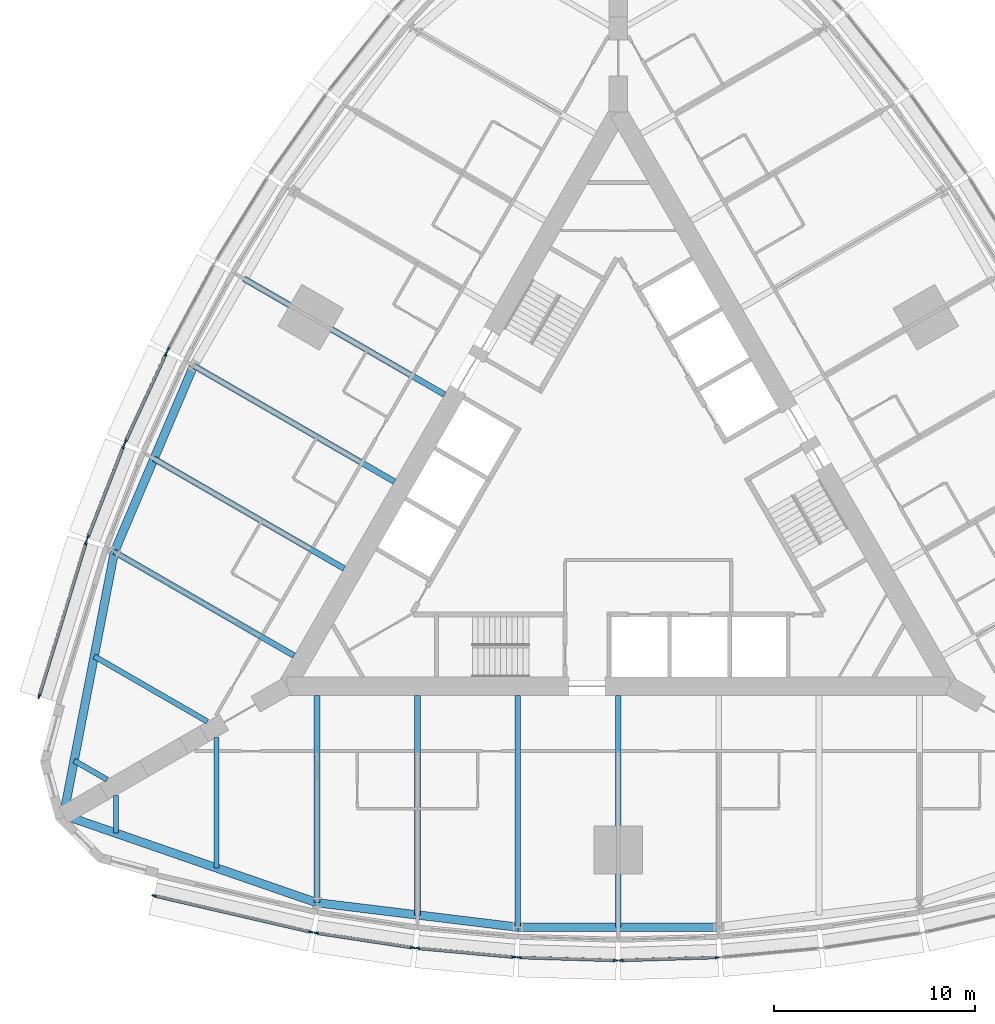
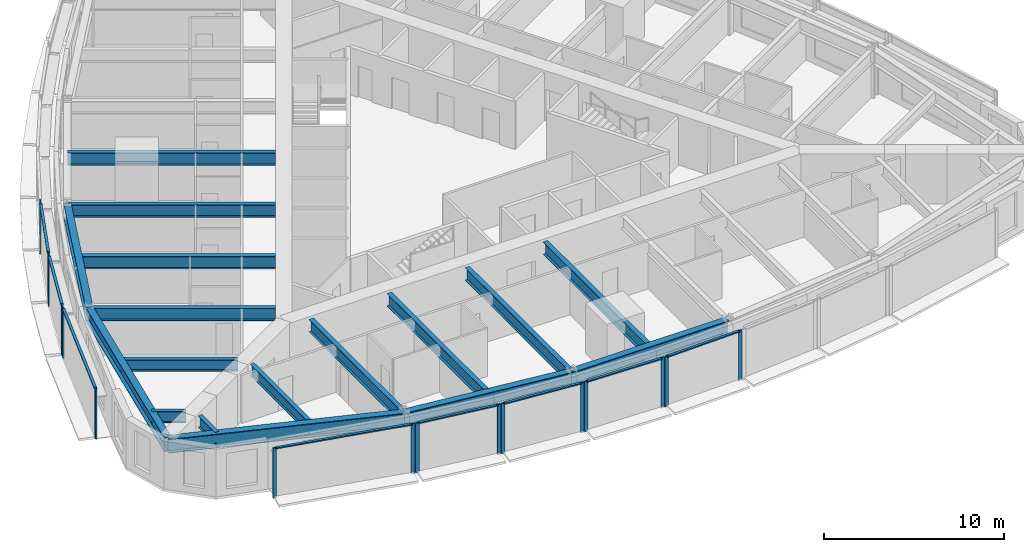
# One storey, part 2 of 14: 25 members, 17 beams, 9 elements without a shape of their own.
"""IFC4 building model written with IfcOpenShell, lengths in metres."""

from ifc_helpers import new_model, si_unit, direction, frame, origin, origin_2d, place, context, subcontext, project, spatial, rectangle, i_section, extrude, material, material_profile, profile_set, type_object, element, aggregate, save


model = new_model("IFC4")

# Units and contexts
model_context = context("Model", 3, precision=1e-05, world=origin(), true_north=direction((0.0, 1.0)))
body_context = subcontext(model_context, "Body", "Model", "MODEL_VIEW")
ifc_project = project(units=[si_unit("LENGTHUNIT", "METRE"), si_unit("AREAUNIT", "SQUARE_METRE"), si_unit("VOLUMEUNIT", "CUBIC_METRE"), si_unit("PLANEANGLEUNIT", "RADIAN"), si_unit("MASSUNIT", "GRAM", prefix="KILO")], contexts=[model_context])

# Site, building, storey
site_placement = place(None, origin())
site = spatial("IfcSite", under=ifc_project, at=site_placement, CompositionType="ELEMENT")
building_placement = place(site_placement, origin())
building = spatial("IfcBuilding", under=site, at=building_placement, Name="Trikona Tower", CompositionType="ELEMENT")
storey_placement = place(building_placement, frame((0.0, 0.0, 52.300048828125)))
storey = spatial("IfcBuildingStorey", under=building, at=storey_placement, Name="L12", CompositionType="ELEMENT", Elevation=52.300048828125)

# Curtain wall, members
ifc_material_1 = material(Name="Aluminium curtain wall system", Category="aluminium")
curtain_wall_type = type_object("IfcCurtainWallType", Name="Curtain wall DS1", PredefinedType="NOTDEFINED", material=ifc_material_1)
curtain_wall_1_placement = place(storey_placement, origin())
curtain_wall_1 = element("IfcCurtainWall", 1, at=curtain_wall_1_placement, inside=storey, type_object=curtain_wall_type, Name="Curtain wall DS1 L12", PredefinedType="NOTDEFINED")
ifc_material_2 = material(Name="Aluminium mullion, pale anodised", Category="aluminium")
ifc_material_profile_1 = material_profile(ifc_material_2, rectangle(XDim=0.080078125, YDim=0.219970703125, at=origin_2d()), Name="MUL-DS1")
ifc_profile_set_1 = profile_set([ifc_material_profile_1], Name="Aluminium mullion, pale anodised")
member_type_1 = type_object("IfcMemberType", Name="Mullion DS1 80x220", PredefinedType="MULLION", material=ifc_profile_set_1)
member_1_placement = place(storey_placement, frame((-23.10546875, -19.951904296875, 0.0), z_axis=(0.0, 0.0, 1.0), x_axis=(0.225343288756, 0.974279427173, 0.0)))
member_1 = element("IfcMember", 2, at=member_1_placement, type_object=member_type_1, Name="CW-DS1 mullion 1", PredefinedType="MULLION", context=body_context, shape_type="SweptSolid", body=[
    extrude(rectangle(XDim=0.080078125, YDim=0.219970703125, at=origin_2d()), origin(), (0.0, 0.0, 1.0), 3.39990234375),
])
member_2_placement = place(storey_placement, frame((-15.30029296875, -21.75732421875, 0.0), z_axis=(0.0, 0.0, 1.0), x_axis=(0.225343288756, 0.974279427173, 0.0)))
member_2 = element("IfcMember", 3, at=member_2_placement, type_object=member_type_1, Name="CW-DS1 mullion 2", PredefinedType="MULLION", context=body_context, shape_type="SweptSolid", body=[
    extrude(rectangle(XDim=0.080078125, YDim=0.219970703125, at=origin_2d()), origin(), (0.0, 0.0, 1.0), 3.39990234375),
])

curtain_wall_2_placement = place(storey_placement, origin())
curtain_wall_2 = element("IfcCurtainWall", 4, at=curtain_wall_2_placement, inside=storey, type_object=curtain_wall_type, Name="Curtain wall DS1 L12", PredefinedType="NOTDEFINED")
member_3_placement = place(storey_placement, frame((-15.03662109375, -21.807861328125, 0.0), z_axis=(0.0, 0.0, 1.0), x_axis=(0.150437693845, 0.988619492156, 0.0)))
member_3 = element("IfcMember", 5, at=member_3_placement, type_object=member_type_1, Name="CW-DS1 mullion 1", PredefinedType="MULLION", context=body_context, shape_type="SweptSolid", body=[
    extrude(rectangle(XDim=0.080078125, YDim=0.219970703125, at=origin_2d()), origin(), (0.0, 0.0, 1.0), 3.39990234375),
])
member_4_placement = place(storey_placement, frame((-10.234130859375, -22.53857421875, 0.0), z_axis=(0.0, 0.0, 1.0), x_axis=(0.150437693845, 0.988619492156, 0.0)))
member_4 = element("IfcMember", 6, at=member_4_placement, type_object=member_type_1, Name="CW-DS1 mullion 2", PredefinedType="MULLION", context=body_context, shape_type="SweptSolid", body=[
    extrude(rectangle(XDim=0.080078125, YDim=0.219970703125, at=origin_2d()), origin(), (0.0, 0.0, 1.0), 3.39990234375),
])

curtain_wall_3_placement = place(storey_placement, origin())
curtain_wall_3 = element("IfcCurtainWall", 7, at=curtain_wall_3_placement, inside=storey, type_object=curtain_wall_type, Name="Curtain wall DS1 L12", PredefinedType="NOTDEFINED")
member_5_placement = place(storey_placement, frame((-9.982177734375, -22.5693359375, 0.0), z_axis=(0.0, 0.0, 1.0), x_axis=(0.090923932737, 0.995857840485, 0.0)))
member_5 = element("IfcMember", 8, at=member_5_placement, type_object=member_type_1, Name="CW-DS1 mullion 1", PredefinedType="MULLION", context=body_context, shape_type="SweptSolid", body=[
    extrude(rectangle(XDim=0.080078125, YDim=0.219970703125, at=origin_2d()), origin(), (0.0, 0.0, 1.0), 3.39990234375),
])
member_6_placement = place(storey_placement, frame((-5.181396484375, -23.007568359375, 0.0), z_axis=(0.0, 0.0, 1.0), x_axis=(0.090923932737, 0.995857840485, 0.0)))
member_6 = element("IfcMember", 9, at=member_6_placement, type_object=member_type_1, Name="CW-DS1 mullion 2", PredefinedType="MULLION", context=body_context, shape_type="SweptSolid", body=[
    extrude(rectangle(XDim=0.080078125, YDim=0.219970703125, at=origin_2d()), origin(), (0.0, 0.0, 1.0), 3.39990234375),
])

curtain_wall_4_placement = place(storey_placement, origin())
curtain_wall_4 = element("IfcCurtainWall", 10, at=curtain_wall_4_placement, inside=storey, type_object=curtain_wall_type, Name="Curtain wall DS1 L12", PredefinedType="NOTDEFINED")
member_7_placement = place(storey_placement, frame((-4.927490234375, -23.02294921875, 0.0), z_axis=(0.0, 0.0, 1.0), x_axis=(0.030436711692, 0.999536695965, 0.0)))
member_7 = element("IfcMember", 11, at=member_7_placement, type_object=member_type_1, Name="CW-DS1 mullion 1", PredefinedType="MULLION", context=body_context, shape_type="SweptSolid", body=[
    extrude(rectangle(XDim=0.080078125, YDim=0.219970703125, at=origin_2d()), origin(), (0.0, 0.0, 1.0), 3.39990234375),
])
member_8_placement = place(storey_placement, frame((-0.12744140625, -23.169189453125, 0.0), z_axis=(0.0, 0.0, 1.0), x_axis=(0.030436711692, 0.999536695965, 0.0)))
member_8 = element("IfcMember", 12, at=member_8_placement, type_object=member_type_1, Name="CW-DS1 mullion 2", PredefinedType="MULLION", context=body_context, shape_type="SweptSolid", body=[
    extrude(rectangle(XDim=0.080078125, YDim=0.219970703125, at=origin_2d()), origin(), (0.0, 0.0, 1.0), 3.39990234375),
])

curtain_wall_5_placement = place(storey_placement, origin())
curtain_wall_5 = element("IfcCurtainWall", 13, at=curtain_wall_5_placement, inside=storey, type_object=curtain_wall_type, Name="Curtain wall DS1 L12", PredefinedType="NOTDEFINED")
member_9_placement = place(storey_placement, frame((0.12744140625, -23.169189453125, 0.0), z_axis=(0.0, 0.0, 1.0), x_axis=(-0.030436711692, 0.999536695965, 0.0)))
member_9 = element("IfcMember", 14, at=member_9_placement, type_object=member_type_1, Name="CW-DS1 mullion 1", PredefinedType="MULLION", context=body_context, shape_type="SweptSolid", body=[
    extrude(rectangle(XDim=0.080078125, YDim=0.219970703125, at=origin_2d()), origin(), (0.0, 0.0, 1.0), 3.39990234375),
])
member_10_placement = place(storey_placement, frame((4.927490234375, -23.02294921875, 0.0), z_axis=(0.0, 0.0, 1.0), x_axis=(-0.030436711692, 0.999536695965, 0.0)))
member_10 = element("IfcMember", 15, at=member_10_placement, type_object=member_type_1, Name="CW-DS1 mullion 2", PredefinedType="MULLION", context=body_context, shape_type="SweptSolid", body=[
    extrude(rectangle(XDim=0.080078125, YDim=0.219970703125, at=origin_2d()), origin(), (0.0, 0.0, 1.0), 3.39990234375),
])

# Curtain wall, member
curtain_wall_6_placement = place(storey_placement, origin())
curtain_wall_6 = element("IfcCurtainWall", 16, at=curtain_wall_6_placement, inside=storey, type_object=curtain_wall_type, Name="Curtain wall DS1 L12", PredefinedType="NOTDEFINED")
member_11_placement = place(storey_placement, frame((-22.402099609375, 7.244140625, 0.0), z_axis=(0.0, 0.0, 1.0), x_axis=(0.880843080975, -0.473408350896, 0.0)))
member_11 = element("IfcMember", 17, at=member_11_placement, type_object=member_type_1, Name="CW-DS1 mullion 2", PredefinedType="MULLION", context=body_context, shape_type="SweptSolid", body=[
    extrude(rectangle(XDim=0.080078125, YDim=0.219970703125, at=origin_2d()), origin(), (0.0, 0.0, 1.0), 3.39990234375),
])
aggregate(curtain_wall_6, [member_11])

# Curtain wall, members
curtain_wall_7_placement = place(storey_placement, origin())
curtain_wall_7 = element("IfcCurtainWall", 18, at=curtain_wall_7_placement, inside=storey, type_object=curtain_wall_type, Name="Curtain wall DS1 L12", PredefinedType="NOTDEFINED")
member_12_placement = place(storey_placement, frame((-22.515869140625, 7.0166015625, 0.0), z_axis=(0.0, 0.0, 1.0), x_axis=(0.907898459992, -0.419190155352, 0.0)))
member_12 = element("IfcMember", 19, at=member_12_placement, type_object=member_type_1, Name="CW-DS1 mullion 1", PredefinedType="MULLION", context=body_context, shape_type="SweptSolid", body=[
    extrude(rectangle(XDim=0.080078125, YDim=0.219970703125, at=origin_2d()), origin(), (0.0, 0.0, 1.0), 3.39990234375),
])
member_13_placement = place(storey_placement, frame((-24.53662109375, 2.6396484375, 0.0), z_axis=(0.0, 0.0, 1.0), x_axis=(0.907898459992, -0.419190155352, 0.0)))
member_13 = element("IfcMember", 20, at=member_13_placement, type_object=member_type_1, Name="CW-DS1 mullion 2", PredefinedType="MULLION", context=body_context, shape_type="SweptSolid", body=[
    extrude(rectangle(XDim=0.080078125, YDim=0.219970703125, at=origin_2d()), origin(), (0.0, 0.0, 1.0), 3.39990234375),
])

curtain_wall_8_placement = place(storey_placement, origin())
curtain_wall_8 = element("IfcCurtainWall", 21, at=curtain_wall_8_placement, inside=storey, type_object=curtain_wall_type, Name="Curtain wall DS1 L12", PredefinedType="NOTDEFINED")
member_14_placement = place(storey_placement, frame((-24.63623046875, 2.40625, 0.0), z_axis=(0.0, 0.0, 1.0), x_axis=(0.931395989443, -0.36400756977, 0.0)))
member_14 = element("IfcMember", 22, at=member_14_placement, type_object=member_type_1, Name="CW-DS1 mullion 1", PredefinedType="MULLION", context=body_context, shape_type="SweptSolid", body=[
    extrude(rectangle(XDim=0.080078125, YDim=0.219970703125, at=origin_2d()), origin(), (0.0, 0.0, 1.0), 3.39990234375),
])
member_15_placement = place(storey_placement, frame((-26.404296875, -2.1181640625, 0.0), z_axis=(0.0, 0.0, 1.0), x_axis=(0.931395989443, -0.36400756977, 0.0)))
member_15 = element("IfcMember", 23, at=member_15_placement, type_object=member_type_1, Name="CW-DS1 mullion 2", PredefinedType="MULLION", context=body_context, shape_type="SweptSolid", body=[
    extrude(rectangle(XDim=0.080078125, YDim=0.219970703125, at=origin_2d()), origin(), (0.0, 0.0, 1.0), 3.39990234375),
])

curtain_wall_9_placement = place(storey_placement, origin())
curtain_wall_9 = element("IfcCurtainWall", 24, at=curtain_wall_9_placement, inside=storey, type_object=curtain_wall_type, Name="Curtain wall DS1 L12", PredefinedType="NOTDEFINED")
member_16_placement = place(storey_placement, frame((-26.492431640625, -2.371826171875, 0.0), z_axis=(0.0, 0.0, 1.0), x_axis=(0.956423115383, -0.291984287868, 0.0)))
member_16 = element("IfcMember", 25, at=member_16_placement, type_object=member_type_1, Name="CW-DS1 mullion 1", PredefinedType="MULLION", context=body_context, shape_type="SweptSolid", body=[
    extrude(rectangle(XDim=0.080078125, YDim=0.219970703125, at=origin_2d()), origin(), (0.0, 0.0, 1.0), 3.39990234375),
])
member_17_placement = place(storey_placement, frame((-28.83154296875, -10.033935546875, 0.0), z_axis=(0.0, 0.0, 1.0), x_axis=(0.956423115383, -0.291984287868, 0.0)))
member_17 = element("IfcMember", 26, at=member_17_placement, type_object=member_type_1, Name="CW-DS1 mullion 2", PredefinedType="MULLION", context=body_context, shape_type="SweptSolid", body=[
    extrude(rectangle(XDim=0.080078125, YDim=0.219970703125, at=origin_2d()), origin(), (0.0, 0.0, 1.0), 3.39990234375),
])

# Beams
ifc_material_3 = material(Name="Steel ASTM A992 Grade 50", Category="steel")
ifc_material_profile_2 = material_profile(ifc_material_3, i_section(OverallWidth=0.2666015625, OverallDepth=0.76953125, WebThickness=0.015625, FlangeThickness=0.025390625, at=origin_2d()), Name="W30X132")
ifc_profile_set_2 = profile_set([ifc_material_profile_2], Name="Steel ASTM A992 Grade 50")
beam_type_1 = type_object("IfcBeamType", Name="Steel beam W30x132 (wedge)", PredefinedType="BEAM", material=ifc_profile_set_2)
beam_1_placement = place(storey_placement, frame((-25.0, -14.953369140625, 2.85009765625), z_axis=(0.0, -1.0, 0.0), x_axis=(1.0, 0.0, 0.0)))
element("IfcBeam", 27, at=beam_1_placement, inside=storey, type_object=beam_type_1, Name="Floor beam L13 F1 u-25", PredefinedType="BEAM", context=body_context, shape_type="SweptSolid", body=[
    extrude(i_section(OverallWidth=0.2666015625, OverallDepth=0.76953125, WebThickness=0.015625, FlangeThickness=0.025390625, at=origin_2d()), origin(), (0.0, 0.0, 1.0), 1.890380859375),
])
for number, where, z_axis, x_axis, name in (
    (28, (-20.0, -12.066650390625, 2.85009765625), (0.0, -1.0, 0.0), (1.0, 0.0, 0.0), "Floor beam L13 F1 u-20"),
    (29, (-20.449951171875, -11.287109375, 2.85009765625), (-0.866022504693, 0.50000502134, 0.0), (-0.50000502134, -0.866022504693, 0.0), "Floor beam L13 F3 u20"),
):
    element("IfcBeam", number, at=place(storey_placement, frame(where, z_axis=z_axis, x_axis=x_axis)), inside=storey, type_object=beam_type_1, Name=name, PredefinedType="BEAM", context=body_context, shape_type="SweptSolid", body=[
        extrude(i_section(OverallWidth=0.2666015625, OverallDepth=0.76953125, WebThickness=0.015625, FlangeThickness=0.025390625, at=origin_2d()), origin(), (0.0, 0.0, 1.0), 6.5068359375),
    ])
beam_2_placement = place(storey_placement, frame((-25.449951171875, -14.173828125, 2.85009765625), z_axis=(-0.866065156741, 0.499931139538, 0.0), x_axis=(-0.499931139538, -0.866065156741, 0.0)))
element("IfcBeam", 30, at=beam_2_placement, inside=storey, type_object=beam_type_1, Name="Floor beam L13 F3 u25", PredefinedType="BEAM", context=body_context, shape_type="SweptSolid", body=[
    extrude(i_section(OverallWidth=0.2666015625, OverallDepth=0.76953125, WebThickness=0.015625, FlangeThickness=0.025390625, at=origin_2d()), origin(), (0.0, 0.0, 1.0), 1.890380859375),
])
ifc_material_4 = material(Name="Steel ASTM A992 Grade 50", Category="steel")
ifc_material_profile_3 = material_profile(ifc_material_4, i_section(OverallWidth=0.2919921875, OverallDepth=0.845703125, WebThickness=0.015380859375, FlangeThickness=0.0244140625, at=origin_2d()), Name="W33X141")
ifc_profile_set_3 = profile_set([ifc_material_profile_3], Name="Steel ASTM A992 Grade 50")
beam_type_2 = type_object("IfcBeamType", Name="Steel beam W33x141 (radial typ)", PredefinedType="BEAM", material=ifc_profile_set_3)
beam_3_placement = place(storey_placement, frame((-15.0, -9.976318359375, 2.81201171875), z_axis=(0.0, -1.0, 0.0), x_axis=(1.0, 0.0, 0.0)))
element("IfcBeam", 31, at=beam_3_placement, inside=storey, type_object=beam_type_2, Name="Floor beam L13 F1 u-15", PredefinedType="BEAM", context=body_context, shape_type="SweptSolid", body=[
    extrude(i_section(OverallWidth=0.2919921875, OverallDepth=0.845703125, WebThickness=0.015380859375, FlangeThickness=0.0244140625, at=origin_2d()), origin(), (0.0, 0.0, 1.0), 10.32666015625),
])
beam_4_placement = place(storey_placement, frame((-10.0, -9.976318359375, 2.81201171875), z_axis=(0.0, -1.0, 0.0), x_axis=(1.0, 0.0, 0.0)))
element("IfcBeam", 32, at=beam_4_placement, inside=storey, type_object=beam_type_2, Name="Floor beam L13 F1 u-10", PredefinedType="BEAM", context=body_context, shape_type="SweptSolid", body=[
    extrude(i_section(OverallWidth=0.2919921875, OverallDepth=0.845703125, WebThickness=0.015380859375, FlangeThickness=0.0244140625, at=origin_2d()), origin(), (0.0, 0.0, 1.0), 10.935302734375),
])
for number, where, z_axis, x_axis, name in (
    (33, (-5.0, -9.976318359375, 2.81201171875), (0.0, -1.0, 0.0), (1.0, 0.0, 0.0), "Floor beam L13 F1 u-5"),
    (34, (0.0, -9.976318359375, 2.81201171875), (0.0, -1.0, 0.0), (1.0, 0.0, 0.0), "Floor beam L13 F1 u0"),
    (35, (-8.6396484375, 4.988037109375, 2.81201171875), (-0.866020765707, 0.500008033299, 0.0), (-0.500008033299, -0.866020765707, 0.0), "Floor beam L13 F3 u0"),
    (36, (-11.1396484375, 0.657958984375, 2.81201171875), (-0.866020765707, 0.500008033299, 0.0), (-0.500008033299, -0.866020765707, 0.0), "Floor beam L13 F3 u5"),
):
    element("IfcBeam", number, at=place(storey_placement, frame(where, z_axis=z_axis, x_axis=x_axis)), inside=storey, type_object=beam_type_2, Name=name, PredefinedType="BEAM", context=body_context, shape_type="SweptSolid", body=[
        extrude(i_section(OverallWidth=0.2919921875, OverallDepth=0.845703125, WebThickness=0.015380859375, FlangeThickness=0.0244140625, at=origin_2d()), origin(), (0.0, 0.0, 1.0), 11.544189453125),
    ])
beam_5_placement = place(storey_placement, frame((-13.6396484375, -3.672119140625, 2.81201171875), z_axis=(-0.866025348605, 0.500000095573, 0.0), x_axis=(-0.500000095573, -0.866025348605, 0.0)))
element("IfcBeam", 37, at=beam_5_placement, inside=storey, type_object=beam_type_2, Name="Floor beam L13 F3 u10", PredefinedType="BEAM", context=body_context, shape_type="SweptSolid", body=[
    extrude(i_section(OverallWidth=0.2919921875, OverallDepth=0.845703125, WebThickness=0.015380859375, FlangeThickness=0.0244140625, at=origin_2d()), origin(), (0.0, 0.0, 1.0), 10.935546875),
])
beam_6_placement = place(storey_placement, frame((-16.1396484375, -8.002197265625, 2.81201171875), z_axis=(-0.866030471684, 0.499991222037, 0.0), x_axis=(-0.499991222037, -0.866030471684, 0.0)))
element("IfcBeam", 38, at=beam_6_placement, inside=storey, type_object=beam_type_2, Name="Floor beam L13 F3 u15", PredefinedType="BEAM", context=body_context, shape_type="SweptSolid", body=[
    extrude(i_section(OverallWidth=0.2919921875, OverallDepth=0.845703125, WebThickness=0.015380859375, FlangeThickness=0.0244140625, at=origin_2d()), origin(), (0.0, 0.0, 1.0), 10.326904296875),
])
ifc_material_5 = material(Name="Steel ASTM A992 Grade 50", Category="steel")
ifc_material_profile_4 = material_profile(ifc_material_5, i_section(OverallWidth=0.424072265625, OverallDepth=0.947509765625, WebThickness=0.02392578125, FlangeThickness=0.042724609375, at=origin_2d()), Name="W36X302")
ifc_profile_set_4 = profile_set([ifc_material_profile_4], Name="Steel ASTM A992 Grade 50")
beam_type_3 = type_object("IfcBeamType", Name="Steel beam W36x302 (spandrel)", PredefinedType="SPANDREL", material=ifc_profile_set_4)
beam_7_placement = place(storey_placement, frame((-27.6103515625, -15.94091796875, 2.76123046875), z_axis=(0.945056965739, -0.326905692071, 0.0), x_axis=(0.326905692071, 0.945056965739, 0.0)))
element("IfcBeam", 39, at=beam_7_placement, inside=storey, type_object=beam_type_3, Name="Spandrel beam L13 F1-1", PredefinedType="SPANDREL", context=body_context, shape_type="SweptSolid", body=[
    extrude(i_section(OverallWidth=0.424072265625, OverallDepth=0.947509765625, WebThickness=0.02392578125, FlangeThickness=0.042724609375, at=origin_2d()), origin(), (0.0, 0.0, 1.0), 13.343505859375),
])
beam_8_placement = place(storey_placement, frame((-15.0, -20.302978515625, 2.76123046875), z_axis=(0.99266951126, -0.120860421207, 0.0), x_axis=(0.120860421207, 0.99266951126, 0.0)))
element("IfcBeam", 40, at=beam_8_placement, inside=storey, type_object=beam_type_3, Name="Spandrel beam L13 F1-2", PredefinedType="SPANDREL", context=body_context, shape_type="SweptSolid", body=[
    extrude(i_section(OverallWidth=0.424072265625, OverallDepth=0.947509765625, WebThickness=0.02392578125, FlangeThickness=0.042724609375, at=origin_2d()), origin(), (0.0, 0.0, 1.0), 10.07373046875),
])
beam_9_placement = place(storey_placement, frame((-5.0, -21.5205078125, 2.76123046875), z_axis=(1.0, 0.0, 0.0), x_axis=(0.0, 1.0, 0.0)))
element("IfcBeam", 41, at=beam_9_placement, inside=storey, type_object=beam_type_3, Name="Spandrel beam L13 F1-3", PredefinedType="SPANDREL", context=body_context, shape_type="SweptSolid", body=[
    extrude(i_section(OverallWidth=0.424072265625, OverallDepth=0.947509765625, WebThickness=0.02392578125, FlangeThickness=0.042724609375, at=origin_2d()), origin(), (0.0, 0.0, 1.0), 10.0),
])
beam_10_placement = place(storey_placement, frame((-21.13720703125, 6.43017578125, 2.76123046875), z_axis=(-0.391683514847, -0.920100007715, 0.0), x_axis=(0.920100007715, -0.391683514847, 0.0)))
element("IfcBeam", 42, at=beam_10_placement, inside=storey, type_object=beam_type_3, Name="Spandrel beam L13 F3-4", PredefinedType="SPANDREL", context=body_context, shape_type="SweptSolid", body=[
    extrude(i_section(OverallWidth=0.424072265625, OverallDepth=0.947509765625, WebThickness=0.02392578125, FlangeThickness=0.042724609375, at=origin_2d()), origin(), (0.0, 0.0, 1.0), 10.073974609375),
])
beam_11_placement = place(storey_placement, frame((-25.0830078125, -2.8388671875, 2.76123046875), z_axis=(-0.189405184036, -0.981899015307, 0.0), x_axis=(0.981899015307, -0.189405184036, 0.0)))
element("IfcBeam", 43, at=beam_11_placement, inside=storey, type_object=beam_type_3, Name="Spandrel beam L13 F3-5", PredefinedType="SPANDREL", context=body_context, shape_type="SweptSolid", body=[
    extrude(i_section(OverallWidth=0.424072265625, OverallDepth=0.947509765625, WebThickness=0.02392578125, FlangeThickness=0.042724609375, at=origin_2d()), origin(), (0.0, 0.0, 1.0), 13.343505859375),
])

# Member
ifc_material_6 = material(Name="Aluminium transom, pale anodised", Category="aluminium")
ifc_material_profile_5 = material_profile(ifc_material_6, rectangle(XDim=0.159912109375, YDim=0.080078125, at=origin_2d()), Name="TRN-DS1")
ifc_profile_set_5 = profile_set([ifc_material_profile_5], Name="Aluminium transom, pale anodised")
member_type_2 = type_object("IfcMemberType", Name="Transom DS1 80x160", PredefinedType="USERDEFINED", material=ifc_profile_set_5)
member_18_placement = place(storey_placement, frame((-23.06640625, -19.9609375, 3.35986328125), z_axis=(0.974275371842, -0.225360821398, 0.0), x_axis=(0.225360821398, 0.974275371842, 0.0)))
member_18 = element("IfcMember", 44, at=member_18_placement, type_object=member_type_2, Name="CW-DS1 transom 1.1", ObjectType="TRANSOM", PredefinedType="USERDEFINED", context=body_context, shape_type="SweptSolid", body=[
    extrude(rectangle(XDim=0.159912109375, YDim=0.080078125, at=origin_2d()), origin(), (0.0, 0.0, 1.0), 7.93115234375),
])

aggregate(curtain_wall_1, [member_1, member_2, member_18])

member_19_placement = place(storey_placement, frame((-14.9970703125, -21.813720703125, 3.35986328125), z_axis=(0.988619663412, -0.150436568413, 0.0), x_axis=(0.150436568413, 0.988619663412, 0.0)))
member_19 = element("IfcMember", 45, at=member_19_placement, type_object=member_type_2, Name="CW-DS1 transom 1.1", ObjectType="TRANSOM", PredefinedType="USERDEFINED", context=body_context, shape_type="SweptSolid", body=[
    extrude(rectangle(XDim=0.159912109375, YDim=0.080078125, at=origin_2d()), origin(), (0.0, 0.0, 1.0), 4.77783203125),
])

aggregate(curtain_wall_2, [member_3, member_4, member_19])

member_20_placement = place(storey_placement, frame((-9.9423828125, -22.57275390625, 3.35986328125), z_axis=(0.995855977008, -0.090944340438, 0.0), x_axis=(0.090944340438, 0.995855977008, 0.0)))
member_20 = element("IfcMember", 46, at=member_20_placement, type_object=member_type_2, Name="CW-DS1 transom 1.1", ObjectType="TRANSOM", PredefinedType="USERDEFINED", context=body_context, shape_type="SweptSolid", body=[
    extrude(rectangle(XDim=0.159912109375, YDim=0.080078125, at=origin_2d()), origin(), (0.0, 0.0, 1.0), 4.74072265625),
])

aggregate(curtain_wall_3, [member_5, member_6, member_20])

member_21_placement = place(storey_placement, frame((-4.887451171875, -23.024169921875, 3.35986328125), z_axis=(0.999536232946, -0.030451913371, 0.0), x_axis=(0.030451913371, 0.999536232946, 0.0)))
member_21 = element("IfcMember", 47, at=member_21_placement, type_object=member_type_2, Name="CW-DS1 transom 1.1", ObjectType="TRANSOM", PredefinedType="USERDEFINED", context=body_context, shape_type="SweptSolid", body=[
    extrude(rectangle(XDim=0.159912109375, YDim=0.080078125, at=origin_2d()), origin(), (0.0, 0.0, 1.0), 4.72216796875),
])

aggregate(curtain_wall_4, [member_7, member_8, member_21])

member_22_placement = place(storey_placement, frame((0.16748046875, -23.16796875, 3.35986328125), z_axis=(0.999536232946, 0.030451913371, 0.0), x_axis=(-0.030451913371, 0.999536232946, 0.0)))
member_22 = element("IfcMember", 48, at=member_22_placement, type_object=member_type_2, Name="CW-DS1 transom 1.1", ObjectType="TRANSOM", PredefinedType="USERDEFINED", context=body_context, shape_type="SweptSolid", body=[
    extrude(rectangle(XDim=0.159912109375, YDim=0.080078125, at=origin_2d()), origin(), (0.0, 0.0, 1.0), 4.72216796875),
])

aggregate(curtain_wall_5, [member_9, member_10, member_22])

member_23_placement = place(storey_placement, frame((-22.53271484375, 6.980224609375, 3.35986328125), z_axis=(-0.419188800665, -0.90789908547, 0.0), x_axis=(0.90789908547, -0.419188800665, 0.0)))
member_23 = element("IfcMember", 49, at=member_23_placement, type_object=member_type_2, Name="CW-DS1 transom 1.1", ObjectType="TRANSOM", PredefinedType="USERDEFINED", context=body_context, shape_type="SweptSolid", body=[
    extrude(rectangle(XDim=0.159912109375, YDim=0.080078125, at=origin_2d()), origin(), (0.0, 0.0, 1.0), 4.74072265625),
])

aggregate(curtain_wall_7, [member_12, member_13, member_23])

member_24_placement = place(storey_placement, frame((-24.650634765625, 2.368896484375, 3.35986328125), z_axis=(-0.364048647668, -0.931379934362, 0.0), x_axis=(0.931379934362, -0.364048647668, 0.0)))
member_24 = element("IfcMember", 50, at=member_24_placement, type_object=member_type_2, Name="CW-DS1 transom 1.1", ObjectType="TRANSOM", PredefinedType="USERDEFINED", context=body_context, shape_type="SweptSolid", body=[
    extrude(rectangle(XDim=0.159912109375, YDim=0.080078125, at=origin_2d()), origin(), (0.0, 0.0, 1.0), 4.777587890625),
])

aggregate(curtain_wall_8, [member_14, member_15, member_24])

member_25_placement = place(storey_placement, frame((-26.504150390625, -2.409912109375, 3.35986328125), z_axis=(-0.291967490203, -0.956428243343, 0.0), x_axis=(0.956428243343, -0.291967490203, 0.0)))
member_25 = element("IfcMember", 51, at=member_25_placement, type_object=member_type_2, Name="CW-DS1 transom 1.1", ObjectType="TRANSOM", PredefinedType="USERDEFINED", context=body_context, shape_type="SweptSolid", body=[
    extrude(rectangle(XDim=0.159912109375, YDim=0.080078125, at=origin_2d()), origin(), (0.0, 0.0, 1.0), 7.93115234375),
])

aggregate(curtain_wall_9, [member_16, member_17, member_25])

save(model, "model.ifc")
